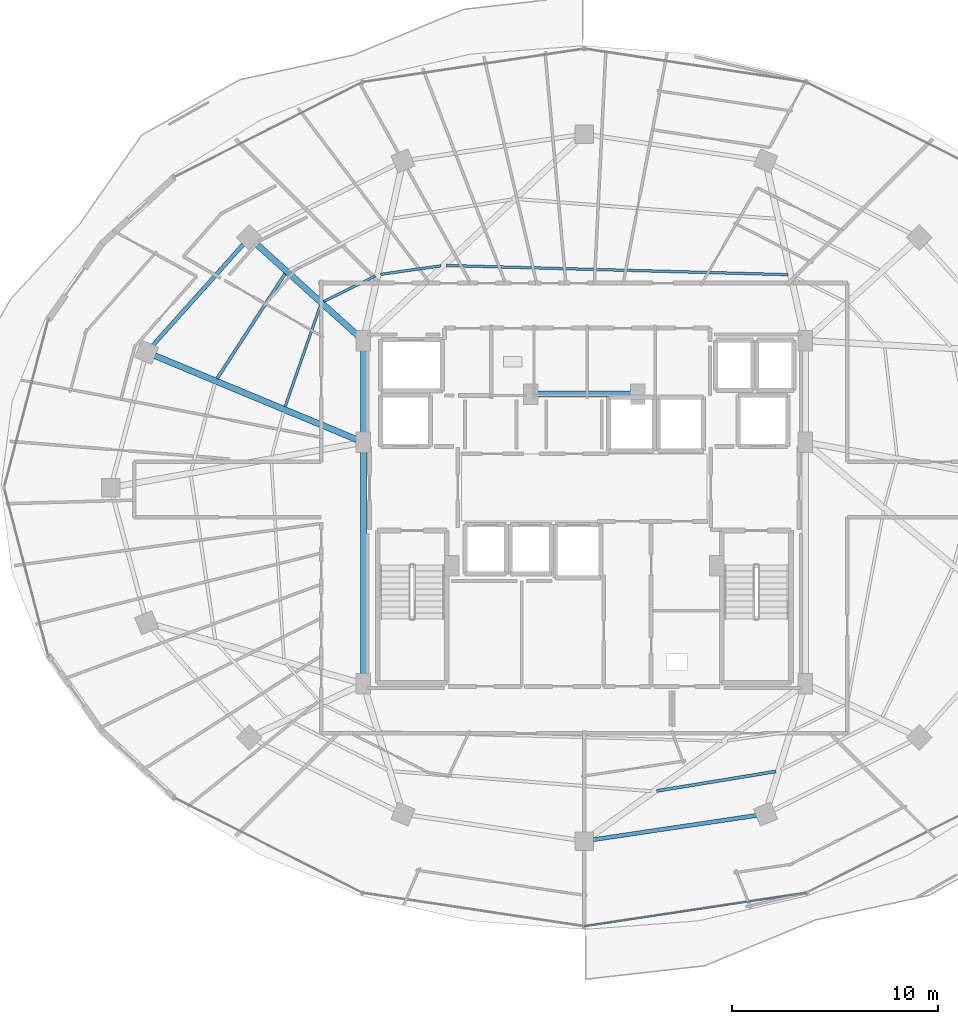
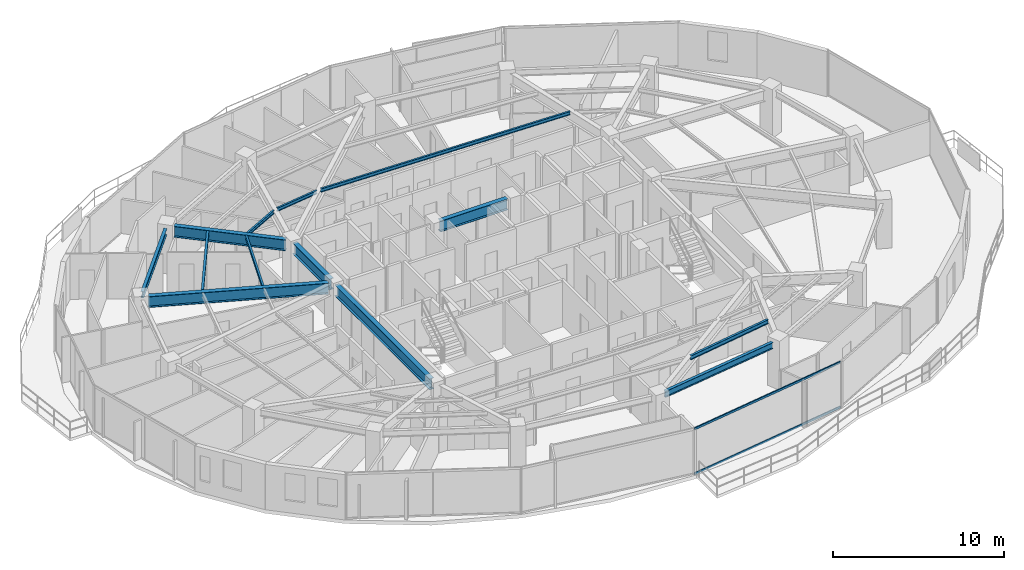
# One storey, part 10 of 33: 13 beams, 2 members, 1 element without a shape of its own.
"""IFC4 building model written with IfcOpenShell, lengths in metres."""

from ifc_helpers import new_model, si_unit, direction, frame, origin, origin_2d, place, context, subcontext, project, spatial, hollow_rectangle, i_section, extrude, material, material_profile, profile_set, type_object, element, aggregate, save


model = new_model("IFC4")

# Units and contexts
model_context = context("Model", 3, precision=1e-05, world=origin(), true_north=direction((0.0, 1.0)))
body_context = subcontext(model_context, "Body", "Model", "MODEL_VIEW")
ifc_project = project(units=[si_unit("LENGTHUNIT", "METRE"), si_unit("AREAUNIT", "SQUARE_METRE"), si_unit("VOLUMEUNIT", "CUBIC_METRE"), si_unit("PLANEANGLEUNIT", "RADIAN"), si_unit("MASSUNIT", "GRAM", prefix="KILO")], contexts=[model_context])

# Site, building, storey
site_placement = place(None, origin())
site = spatial("IfcSite", under=ifc_project, at=site_placement, CompositionType="ELEMENT")
building_placement = place(site_placement, origin())
building = spatial("IfcBuilding", under=site, at=building_placement, Name="Vorneva Point Tower", CompositionType="ELEMENT")
storey_placement = place(building_placement, frame((0.0, 0.0, 189.60009765625)))
storey = spatial("IfcBuildingStorey", under=building, at=storey_placement, Name="L51", CompositionType="ELEMENT", Elevation=189.60009765625)

# Beams
ifc_material_1 = material(Name="Steel S355", Category="steel")
ifc_material_profile_1 = material_profile(ifc_material_1, i_section(OverallWidth=0.300048828125, OverallDepth=0.7880859375, WebThickness=0.014404296875, FlangeThickness=0.02197265625, at=origin_2d()), Name="80Sh1")
ifc_profile_set_1 = profile_set([ifc_material_profile_1], Name="Steel S355")
beam_type_1 = type_object("IfcBeamType", Name="BM-GRD-80Sh1", PredefinedType="USERDEFINED", material=ifc_profile_set_1)
beam_1_placement = place(storey_placement, frame((22.026123046875, 37.86865234375, 2.845947265625), z_axis=(0.742089778537, -0.670300500217, 0.0), x_axis=(0.670300500217, 0.742089778537, 0.0)))
element("IfcBeam", 1, at=beam_1_placement, inside=storey, type_object=beam_type_1, Name="L51 Radial Primary Girder 07", ObjectType="GIRDER", PredefinedType="USERDEFINED", context=body_context, shape_type="SweptSolid", body=[
    extrude(i_section(OverallWidth=0.300048828125, OverallDepth=0.7880859375, WebThickness=0.014404296875, FlangeThickness=0.02197265625, at=origin_2d()), origin(), (0.0, 0.0, 1.0), 6.699462890625),
])
beam_2_placement = place(storey_placement, frame((17.109130859375, 32.4140625, 2.845947265625), z_axis=(0.923445067159, -0.383730645035, 0.0), x_axis=(0.383730645035, 0.923445067159, 0.0)))
element("IfcBeam", 2, at=beam_2_placement, inside=storey, type_object=beam_type_1, Name="L51 Radial Primary Girder 08", ObjectType="GIRDER", PredefinedType="USERDEFINED", context=body_context, shape_type="SweptSolid", body=[
    extrude(i_section(OverallWidth=0.300048828125, OverallDepth=0.7880859375, WebThickness=0.014404296875, FlangeThickness=0.02197265625, at=origin_2d()), origin(), (0.0, 0.0, 1.0), 10.6416015625),
])
beam_3_placement = place(storey_placement, frame((27.25, 16.77001953125, 2.845947265625), z_axis=(0.0, 1.0, 0.0), x_axis=(-1.0, 0.0, 0.0)))
element("IfcBeam", 3, at=beam_3_placement, inside=storey, type_object=beam_type_1, Name="L51 Core Tie Girder CT1", ObjectType="GIRDER", PredefinedType="USERDEFINED", context=body_context, shape_type="SweptSolid", body=[
    extrude(i_section(OverallWidth=0.300048828125, OverallDepth=0.7880859375, WebThickness=0.014404296875, FlangeThickness=0.02197265625, at=origin_2d()), origin(), (0.0, 0.0, 1.0), 11.10986328125),
])
beam_4_placement = place(storey_placement, frame((27.25, 28.52001953125, 2.845947265625), z_axis=(0.0, 1.0, 0.0), x_axis=(-1.0, 0.0, 0.0)))
element("IfcBeam", 4, at=beam_4_placement, inside=storey, type_object=beam_type_1, Name="L51 Core Tie Girder CT2", ObjectType="GIRDER", PredefinedType="USERDEFINED", context=body_context, shape_type="SweptSolid", body=[
    extrude(i_section(OverallWidth=0.300048828125, OverallDepth=0.7880859375, WebThickness=0.014404296875, FlangeThickness=0.02197265625, at=origin_2d()), origin(), (0.0, 0.0, 1.0), 4.31005859375),
])
beam_5_placement = place(storey_placement, frame((35.719970703125, 30.550048828125, 2.845947265625), z_axis=(1.0, 0.0, 0.0), x_axis=(0.0, 1.0, 0.0)))
element("IfcBeam", 5, at=beam_5_placement, inside=storey, type_object=beam_type_1, Name="L51 Core Tie Girder CT8", ObjectType="GIRDER", PredefinedType="USERDEFINED", context=body_context, shape_type="SweptSolid", body=[
    extrude(i_section(OverallWidth=0.300048828125, OverallDepth=0.7880859375, WebThickness=0.014404296875, FlangeThickness=0.02197265625, at=origin_2d()), origin(), (0.0, 0.0, 1.0), 4.56005859375),
])
ifc_material_profile_2 = material_profile(ifc_material_1, i_section(OverallWidth=0.1240234375, OverallDepth=0.248046875, WebThickness=0.0048828125, FlangeThickness=0.008056640625, at=origin_2d()), Name="25B1")
ifc_profile_set_2 = profile_set([ifc_material_profile_2], Name="Steel S355")
beam_type_2 = type_object("IfcBeamType", Name="BM-JST-25B1", PredefinedType="JOIST", material=ifc_profile_set_2)
beam_6_placement = place(storey_placement, frame((47.904541015625, 36.35888671875, 3.115966796875), z_axis=(-0.999638918345, 0.026870670432, 0.0), x_axis=(-0.026870670432, -0.999638918345, 0.0)))
element("IfcBeam", 6, at=beam_6_placement, inside=storey, type_object=beam_type_2, Name="L51 Secondary Floor Beam 2.04", PredefinedType="JOIST", context=body_context, shape_type="SweptSolid", body=[
    extrude(i_section(OverallWidth=0.1240234375, OverallDepth=0.248046875, WebThickness=0.0048828125, FlangeThickness=0.008056640625, at=origin_2d()), origin(), (0.0, 0.0, 1.0), 16.60888671875),
])
beam_7_placement = place(storey_placement, frame((31.027099609375, 36.78955078125, 3.115966796875), z_axis=(-0.990136526525, -0.140105884393, 0.0), x_axis=(0.140105884393, -0.990136526525, 0.0)))
element("IfcBeam", 7, at=beam_7_placement, inside=storey, type_object=beam_type_2, Name="L51 Secondary Floor Beam 2.05", PredefinedType="JOIST", context=body_context, shape_type="SweptSolid", body=[
    extrude(i_section(OverallWidth=0.1240234375, OverallDepth=0.248046875, WebThickness=0.0048828125, FlangeThickness=0.008056640625, at=origin_2d()), origin(), (0.0, 0.0, 1.0), 2.96240234375),
])
beam_8_placement = place(storey_placement, frame((27.833740234375, 36.2939453125, 3.115966796875), z_axis=(-0.896290822353, -0.443466753845, 0.0), x_axis=(0.443466753845, -0.896290822353, 0.0)))
element("IfcBeam", 8, at=beam_8_placement, inside=storey, type_object=beam_type_2, Name="L51 Secondary Floor Beam 2.06", PredefinedType="JOIST", context=body_context, shape_type="SweptSolid", body=[
    extrude(i_section(OverallWidth=0.1240234375, OverallDepth=0.248046875, WebThickness=0.0048828125, FlangeThickness=0.008056640625, at=origin_2d()), origin(), (0.0, 0.0, 1.0), 2.791748046875),
])
beam_9_placement = place(storey_placement, frame((25.16259765625, 34.8642578125, 3.115966796875), z_axis=(-0.329040775193, -0.944315714293, 0.0), x_axis=(0.944315714293, -0.329040775193, 0.0)))
element("IfcBeam", 9, at=beam_9_placement, inside=storey, type_object=beam_type_2, Name="L51 Secondary Floor Beam 2.07", PredefinedType="JOIST", context=body_context, shape_type="SweptSolid", body=[
    extrude(i_section(OverallWidth=0.1240234375, OverallDepth=0.248046875, WebThickness=0.0048828125, FlangeThickness=0.008056640625, at=origin_2d()), origin(), (0.0, 0.0, 1.0), 5.224365234375),
])
ifc_material_profile_3 = material_profile(ifc_material_1, i_section(OverallWidth=0.14892578125, OverallDepth=0.298095703125, WebThickness=0.005615234375, FlangeThickness=0.008056640625, at=origin_2d()), Name="30B1")
ifc_profile_set_3 = profile_set([ifc_material_profile_3], Name="Steel S355")
beam_type_3 = type_object("IfcBeamType", Name="BM-JST-30B1", PredefinedType="JOIST", material=ifc_profile_set_3)
beam_10_placement = place(storey_placement, frame((23.4423828125, 36.405517578125, 3.0908203125), z_axis=(-0.544354543714, -0.83885525017, 0.0), x_axis=(0.83885525017, -0.544354543714, 0.0)))
element("IfcBeam", 10, at=beam_10_placement, inside=storey, type_object=beam_type_3, Name="L51 Secondary Floor Beam 1.07", PredefinedType="JOIST", context=body_context, shape_type="SweptSolid", body=[
    extrude(i_section(OverallWidth=0.14892578125, OverallDepth=0.298095703125, WebThickness=0.005615234375, FlangeThickness=0.008056640625, at=origin_2d()), origin(), (0.0, 0.0, 1.0), 6.080810546875),
])
beam_11_placement = place(storey_placement, frame((41.52783203125, 11.236083984375, 3.0908203125), z_axis=(0.986862894909, 0.161559978498, 0.0), x_axis=(-0.161559978498, 0.986862894909, 0.0)))
element("IfcBeam", 11, at=beam_11_placement, inside=storey, type_object=beam_type_3, Name="L51 Secondary Floor Beam 1.13", PredefinedType="JOIST", context=body_context, shape_type="SweptSolid", body=[
    extrude(i_section(OverallWidth=0.14892578125, OverallDepth=0.298095703125, WebThickness=0.005615234375, FlangeThickness=0.008056640625, at=origin_2d()), origin(), (0.0, 0.0, 1.0), 5.872314453125),
])
ifc_material_profile_4 = material_profile(ifc_material_1, i_section(OverallWidth=0.198974609375, OverallDepth=0.446044921875, WebThickness=0.008056640625, FlangeThickness=0.011962890625, at=origin_2d()), Name="45B1")
ifc_profile_set_4 = profile_set([ifc_material_profile_4], Name="Steel S355")
beam_type_4 = type_object("IfcBeamType", Name="BM-SPN-45B1", PredefinedType="SPANDREL", material=ifc_profile_set_4)
beam_12_placement = place(storey_placement, frame((21.410888671875, 37.838134765625, 3.016845703125), z_axis=(-0.66706970547, -0.744995307397, 0.0), x_axis=(0.744995307397, -0.66706970547, 0.0)))
element("IfcBeam", 12, at=beam_12_placement, inside=storey, type_object=beam_type_4, Name="L51 Perimeter Spandrel Ring Beam 07", PredefinedType="SPANDREL", context=body_context, shape_type="SweptSolid", body=[
    extrude(i_section(OverallWidth=0.198974609375, OverallDepth=0.446044921875, WebThickness=0.008056640625, FlangeThickness=0.011962890625, at=origin_2d()), origin(), (0.0, 0.0, 1.0), 6.6201171875),
])
beam_13_placement = place(storey_placement, frame((38.430419921875, 8.864013671875, 3.016845703125), z_axis=(0.989165476332, 0.146804837907, 0.0), x_axis=(-0.146804837907, 0.989165476332, 0.0)))
element("IfcBeam", 13, at=beam_13_placement, inside=storey, type_object=beam_type_4, Name="L51 Perimeter Spandrel Ring Beam 13", PredefinedType="SPANDREL", context=body_context, shape_type="SweptSolid", body=[
    extrude(i_section(OverallWidth=0.198974609375, OverallDepth=0.446044921875, WebThickness=0.008056640625, FlangeThickness=0.011962890625, at=origin_2d()), origin(), (0.0, 0.0, 1.0), 8.04736328125),
])

# Curtain wall, members
ifc_material_2 = material(Name="Pale anodised aluminium", Category="aluminium")
curtain_wall_type = type_object("IfcCurtainWallType", Name="CW-RES-SYS", PredefinedType="NOTDEFINED", material=ifc_material_2)
curtain_wall_placement = place(storey_placement, origin())
curtain_wall = element("IfcCurtainWall", 14, at=curtain_wall_placement, inside=storey, type_object=curtain_wall_type, Name="L51 Unitised Curtain Wall CW-L51-R04", PredefinedType="NOTDEFINED")
ifc_material_profile_5 = material_profile(ifc_material_2, hollow_rectangle(XDim=0.074951171875, YDim=0.14990234375, WallThickness=0.00390625, at=origin_2d()), Name="AL-TRN 150x75x4")
ifc_profile_set_5 = profile_set([ifc_material_profile_5], Name="Pale anodised aluminium")
member_type = type_object("IfcMemberType", Name="CW-TRN-150", PredefinedType="USERDEFINED", material=ifc_profile_set_5)
member_1_placement = place(storey_placement, frame((38.0, 4.64990234375, 0.02001953125), z_axis=(0.988872333273, 0.148766624239, 0.0), x_axis=(-0.148766624239, 0.988872333273, 0.0)))
member_1 = element("IfcMember", 15, at=member_1_placement, type_object=member_type, Name="CW-L51-R04 Transom 03.1", ObjectType="TRANSOM", PredefinedType="USERDEFINED", context=body_context, shape_type="SweptSolid", body=[
    extrude(hollow_rectangle(XDim=0.074951171875, YDim=0.14990234375, WallThickness=0.00390625, at=origin_2d()), origin(), (0.0, 0.0, 1.0), 10.9248046875),
])
member_2_placement = place(storey_placement, frame((38.0, 4.64990234375, 3.219970703125), z_axis=(0.988872333273, 0.148766624239, 0.0), x_axis=(-0.148766624239, 0.988872333273, 0.0)))
member_2 = element("IfcMember", 16, at=member_2_placement, type_object=member_type, Name="CW-L51-R04 Transom 03.2", ObjectType="TRANSOM", PredefinedType="USERDEFINED", context=body_context, shape_type="SweptSolid", body=[
    extrude(hollow_rectangle(XDim=0.074951171875, YDim=0.14990234375, WallThickness=0.00390625, at=origin_2d()), origin(), (0.0, 0.0, 1.0), 10.9248046875),
])
aggregate(curtain_wall, [member_1, member_2])

save(model, "model.ifc")
